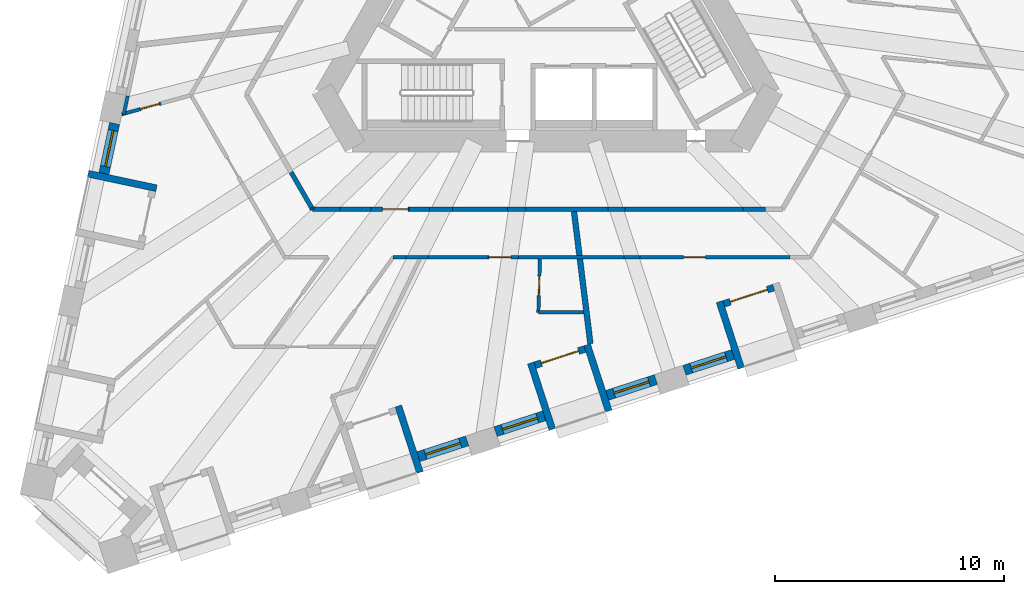
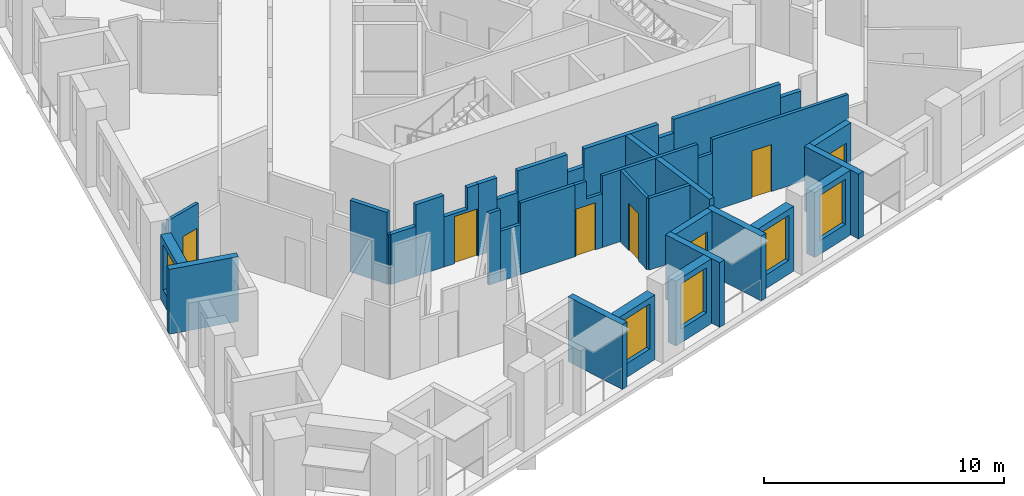
# One storey, part 3 of 13: 37 walls, 7 doors, 5 windows, 12 openings.
"""IFC4 building model written with IfcOpenShell, lengths in metres."""

from ifc_helpers import new_model, si_unit, direction, frame, frame_2d, origin, place, context, subcontext, project, spatial, polyline, rectangle, outline, extrude, material, layer, layer_set, type_object, element, fill, save


model = new_model("IFC4")

# Units and contexts
model_context = context("Model", 3, precision=1e-05, world=origin(), true_north=direction((0.0, 1.0)))
body_context = subcontext(model_context, "Body", "Model", "MODEL_VIEW")
ifc_project = project(units=[si_unit("LENGTHUNIT", "METRE"), si_unit("AREAUNIT", "SQUARE_METRE"), si_unit("VOLUMEUNIT", "CUBIC_METRE"), si_unit("PLANEANGLEUNIT", "RADIAN"), si_unit("MASSUNIT", "GRAM", prefix="KILO")], contexts=[model_context])

# Site, building, storey
site_placement = place(None, origin())
site = spatial("IfcSite", under=ifc_project, at=site_placement, CompositionType="ELEMENT")
building_placement = place(site_placement, origin())
building = spatial("IfcBuilding", under=site, at=building_placement, Name="Tramontana Tower", CompositionType="ELEMENT")
storey_placement = place(building_placement, frame((0.0, 0.0, 104.39990234375)))
storey = spatial("IfcBuildingStorey", under=building, at=storey_placement, Name="L23", CompositionType="ELEMENT", Elevation=104.39990234375)

# Walls
ifc_material_1 = material(Name="Blockwork", Category="masonry")
ifc_layer_1 = layer(ifc_material_1, 0.199951171875)
ifc_layer_set_1 = layer_set([ifc_layer_1], Name="ENTRY WALL 200")
wall_type_1 = type_object("IfcWallType", Name="ENTRY WALL 200", PredefinedType="SOLIDWALL", material=ifc_layer_set_1)
wall_1_placement = place(storey_placement, frame((9.50439453125, -9.25, 0.0), z_axis=(0.0, 0.0, 1.0), x_axis=(-1.0, 0.0, 0.0)))
element("IfcWall", 1, at=wall_1_placement, inside=storey, type_object=wall_type_1, Name="Wall v21-ew2-1", PredefinedType="SOLIDWALL", context=body_context, shape_type="SweptSolid", body=[
    extrude(rectangle(XDim=0.9775390625, YDim=0.199951171875, at=frame_2d((0.48876953125, 0.0))), origin(), (0.0, 0.0, 1.0), 2.9501953125),
])
wall_2_placement = place(storey_placement, frame((8.52685546875, -9.25, 0.0), z_axis=(0.0, 0.0, 1.0), x_axis=(-1.0, 0.0, 0.0)))
element("IfcWall", 2, at=wall_2_placement, inside=storey, type_object=wall_type_1, Name="Wall v21-ew2-2", PredefinedType="SOLIDWALL", context=body_context, shape_type="SweptSolid", body=[
    extrude(rectangle(XDim=5.1533203125, YDim=0.199951171875, at=frame_2d((2.57666015625, 0.0))), origin(), (0.0, 0.0, 1.0), 3.650146484375),
])
wall_3_placement = place(storey_placement, frame((3.37353515625, -9.25, 0.0), z_axis=(0.0, 0.0, 1.0), x_axis=(-1.0, 0.0, 0.0)))
element("IfcWall", 3, at=wall_3_placement, inside=storey, type_object=wall_type_1, Name="Wall v21-ew2-3", PredefinedType="SOLIDWALL", context=body_context, shape_type="SweptSolid", body=[
    extrude(rectangle(XDim=0.736083984375, YDim=0.199951171875, at=frame_2d((0.3681640625, 0.0))), origin(), (0.0, 0.0, 1.0), 2.9501953125),
])
wall_4_placement = place(storey_placement, frame((2.637451171875, -9.25, 0.0), z_axis=(0.0, 0.0, 1.0), x_axis=(-1.0, 0.0, 0.0)))
element("IfcWall", 4, at=wall_4_placement, inside=storey, type_object=wall_type_1, Name="Wall v21-ew2-4", PredefinedType="SOLIDWALL", context=body_context, shape_type="SweptSolid", body=[
    extrude(rectangle(XDim=3.576904296875, YDim=0.199951171875, at=frame_2d((1.78857421875, 0.0))), origin(), (0.0, 0.0, 1.0), 3.650146484375),
])
wall_5_placement = place(storey_placement, frame((-0.939453125, -9.25, 0.0), z_axis=(0.0, 0.0, 1.0), x_axis=(-1.0, 0.0, 0.0)))
element("IfcWall", 5, at=wall_5_placement, inside=storey, type_object=wall_type_1, Name="Wall v21-ew2-5", PredefinedType="SOLIDWALL", context=body_context, shape_type="SweptSolid", body=[
    extrude(rectangle(XDim=0.808349609375, YDim=0.199951171875, at=frame_2d((0.404296875, 0.0))), origin(), (0.0, 0.0, 1.0), 2.75),
])
wall_6_placement = place(storey_placement, frame((-1.747802734375, -9.25, 0.0), z_axis=(0.0, 0.0, 1.0), x_axis=(-1.0, 0.0, 0.0)))
element("IfcWall", 6, at=wall_6_placement, inside=storey, type_object=wall_type_1, Name="Wall v21-ew2-6", PredefinedType="SOLIDWALL", context=body_context, shape_type="SweptSolid", body=[
    extrude(rectangle(XDim=2.385498046875, YDim=0.199951171875, at=frame_2d((1.19287109375, 0.0))), origin(), (0.0, 0.0, 1.0), 3.650146484375),
])
wall_7_placement = place(storey_placement, frame((-4.13330078125, -9.25, 0.0), z_axis=(0.0, 0.0, 1.0), x_axis=(-1.0, 0.0, 0.0)))
element("IfcWall", 7, at=wall_7_placement, inside=storey, type_object=wall_type_1, Name="Wall v21-ew2-7", PredefinedType="SOLIDWALL", context=body_context, shape_type="SweptSolid", body=[
    extrude(rectangle(XDim=1.0068359375, YDim=0.199951171875, at=frame_2d((0.50341796875, 0.0))), origin(), (0.0, 0.0, 1.0), 2.550048828125),
])
wall_8_placement = place(storey_placement, frame((-5.14013671875, -9.25, 0.0), z_axis=(0.0, 0.0, 1.0), x_axis=(-1.0, 0.0, 0.0)))
element("IfcWall", 8, at=wall_8_placement, inside=storey, type_object=wall_type_1, Name="Wall v21-ew2-8", PredefinedType="SOLIDWALL", context=body_context, shape_type="SweptSolid", body=[
    extrude(rectangle(XDim=0.89990234375, YDim=0.199951171875, at=frame_2d((0.449951171875, 0.0))), origin(), (0.0, 0.0, 1.0), 3.650146484375),
])

# Wall, opening, door
wall_9_placement = place(storey_placement, frame((-7.695556640625, -9.25, 0.0), z_axis=(0.0, 0.0, 1.0), x_axis=(1.0, 0.0, 0.0)))
wall_9 = element("IfcWall", 9, at=wall_9_placement, inside=storey, type_object=wall_type_1, Name="Wall v21-ew2-9", PredefinedType="SOLIDWALL", context=body_context, shape_type="SweptSolid", body=[
    extrude(outline(polyline([(0.0, 0.0), (1.655517578125, 0.0), (1.655517578125, 3.650146484375), (1.13623046875, 3.650146484375), (1.13623046875, 2.550048828125), (0.0, 2.550048828125), (0.0, 0.0)])), frame((0.0, 0.10009765625, 0.0), z_axis=(0.0, -1.0, 0.0), x_axis=(1.0, 0.0, 0.0)), (0.0, 0.0, 1.0), 0.199951171875),
])
opening_1_placement = place(wall_9_placement, frame((0.50537109375, 0.0, 0.0)))
opening_1 = element("IfcOpeningElement", 10, at=opening_1_placement, cuts=wall_9, Name="Opening B2B-27", PredefinedType="OPENING", context=body_context, shape_type="SweptSolid", body=[
    extrude(rectangle(XDim=1.10009765625, YDim=2.39990234375, at=frame_2d((0.550048828125, 1.199951171875))), frame((0.0, 0.10986328125, 0.0), z_axis=(0.0, -1.0, 0.0), x_axis=(1.0, 0.0, 0.0)), (0.0, 0.0, 1.0), 0.219970703125),
])
ifc_material_2 = material(Name="Painted timber", Category="wood")
door_type_1 = type_object("IfcDoorType", Name="DOOR ENTRY 1100", OperationType="SINGLE_SWING_LEFT", PredefinedType="DOOR", material=ifc_material_2)
door_1_placement = place(opening_1_placement, origin())
door_1 = element("IfcDoor", 11, at=door_1_placement, inside=storey, type_object=door_type_1, Name="Door B2B-27", OperationType="SINGLE_SWING_LEFT", OverallHeight=2.39990234375, OverallWidth=1.10009765625, PredefinedType="DOOR", context=body_context, shape_type="SweptSolid", body=[
    extrude(rectangle(XDim=1.10009765625, YDim=2.39990234375, at=frame_2d((0.550048828125, 1.199951171875))), frame((0.0, 0.02490234375, 0.0), z_axis=(0.0, -1.0, 0.0), x_axis=(1.0, 0.0, 0.0)), (0.0, 0.0, 1.0), 0.050048828125),
])
fill(opening_1, door_1)

# Walls
wall_10_placement = place(storey_placement, frame((-7.695556640625, -9.25, 0.0), z_axis=(0.0, 0.0, 1.0), x_axis=(-1.0, 0.0, 0.0)))
element("IfcWall", 12, at=wall_10_placement, inside=storey, type_object=wall_type_1, Name="Wall v21-ew2-10", PredefinedType="SOLIDWALL", context=body_context, shape_type="SweptSolid", body=[
    extrude(rectangle(XDim=1.3603515625, YDim=0.199951171875, at=frame_2d((0.68017578125, 0.0))), origin(), (0.0, 0.0, 1.0), 3.650146484375),
])
wall_11_placement = place(storey_placement, frame((-9.055908203125, -9.25, 0.0), z_axis=(0.0, 0.0, 1.0), x_axis=(-1.0, 0.0, 0.0)))
element("IfcWall", 13, at=wall_11_placement, inside=storey, type_object=wall_type_1, Name="Wall v21-ew2-11", PredefinedType="SOLIDWALL", context=body_context, shape_type="SweptSolid", body=[
    extrude(rectangle(XDim=1.192138671875, YDim=0.199951171875, at=frame_2d((0.59619140625, 0.0))), origin(), (0.0, 0.0, 1.0), 2.550048828125),
])
wall_12_placement = place(storey_placement, frame((-10.248046875, -9.25, 0.0), z_axis=(0.0, 0.0, 1.0), x_axis=(-0.499103811596, 0.866542200502, 0.0)))
element("IfcWall", 14, at=wall_12_placement, inside=storey, type_object=wall_type_1, Name="Wall v21-ew3-0", PredefinedType="SOLIDWALL", context=body_context, shape_type="SweptSolid", body=[
    extrude(rectangle(XDim=0.079833984375, YDim=0.199951171875, at=frame_2d((0.0400390625, 0.0))), origin(), (0.0, 0.0, 1.0), 2.550048828125),
])
wall_13_placement = place(storey_placement, frame((-10.287841796875, -9.180908203125, 0.0), z_axis=(0.0, 0.0, 1.0), x_axis=(-0.499986405537, 0.866033252409, 0.0)))
element("IfcWall", 15, at=wall_13_placement, inside=storey, type_object=wall_type_1, Name="Wall v21-ew3-1", PredefinedType="SOLIDWALL", context=body_context, shape_type="SweptSolid", body=[
    extrude(rectangle(XDim=1.7880859375, YDim=0.199951171875, at=frame_2d((0.89404296875, 0.0))), origin(), (0.0, 0.0, 1.0), 3.650146484375),
])

# Wall, opening, window
ifc_material_3 = material(Name="Precast concrete 60 MPa", Category="concrete")
ifc_layer_2 = layer(ifc_material_3, 0.449951171875)
ifc_layer_set_2 = layer_set([ifc_layer_2], Name="Precast concrete 60 MPa, 450 mm")
wall_type_2 = type_object("IfcWallType", Name="EW1 Stone-faced precast wall 450", PredefinedType="SOLIDWALL", material=ifc_layer_set_2)
wall_14_placement = place(storey_placement, frame((-18.882080078125, -5.504638671875, 0.0), z_axis=(0.0, 0.0, 1.0), x_axis=(-0.207918801611, -0.978146089261, 0.0)))
wall_14 = element("IfcWall", 16, at=wall_14_placement, inside=storey, type_object=wall_type_2, Name="External wall L23 face 0 bay 5", PredefinedType="SOLIDWALL", context=body_context, shape_type="SweptSolid", body=[
    extrude(rectangle(XDim=2.23681640625, YDim=0.449951171875, at=frame_2d((1.118408203125, 0.0))), origin(), (0.0, 0.0, 1.0), 3.300048828125),
])
opening_2_placement = place(wall_14_placement, frame((0.318359375, 0.0, 0.699951171875)))
opening_2 = element("IfcOpeningElement", 17, at=opening_2_placement, cuts=wall_14, Name="Opening M1", PredefinedType="OPENING", context=body_context, shape_type="SweptSolid", body=[
    extrude(rectangle(XDim=1.60009765625, YDim=2.300048828125, at=frame_2d((0.800048828125, 1.14990234375))), frame((0.0, 0.23486328125, 0.0), z_axis=(0.0, -1.0, 0.0), x_axis=(1.0, 0.0, 0.0)), (0.0, 0.0, 1.0), 0.469970703125),
])
ifc_material_4 = material(Name="Aluminum frame, double glazing unit", Category="aluminium")
window_type = type_object("IfcWindowType", Name="M1 Window 1.6 x 2.3", PartitioningType="SINGLE_PANEL", PredefinedType="WINDOW", material=ifc_material_4)
window_1_placement = place(opening_2_placement, origin())
window_1 = element("IfcWindow", 18, at=window_1_placement, inside=storey, type_object=window_type, Name="Window M1 L23 face 0 module 13", OverallHeight=2.300048828125, OverallWidth=1.60009765625, PartitioningType="SINGLE_PANEL", PredefinedType="WINDOW", context=body_context, shape_type="SweptSolid", body=[
    extrude(rectangle(XDim=1.60009765625, YDim=2.300048828125, at=frame_2d((0.800048828125, 1.14990234375))), frame((0.0, 0.030029296875, 0.0), z_axis=(0.0, -1.0, 0.0), x_axis=(1.0, 0.0, 0.0)), (0.0, 0.0, 1.0), 0.06005859375),
])
fill(opening_2, window_1)

wall_15_placement = place(storey_placement, frame((-5.628173828125, -20.045166015625, 0.0), z_axis=(0.0, 0.0, 1.0), x_axis=(0.951057328329, 0.30901449518, 0.0)))
wall_15 = element("IfcWall", 19, at=wall_15_placement, inside=storey, type_object=wall_type_2, Name="External wall L23 face 1 bay 2", PredefinedType="SOLIDWALL", context=body_context, shape_type="SweptSolid", body=[
    extrude(rectangle(XDim=2.236572265625, YDim=0.449951171875, at=frame_2d((1.1181640625, 0.0))), origin(), (0.0, 0.0, 1.0), 3.300048828125),
])
opening_3_placement = place(wall_15_placement, frame((0.318359375, 0.0, 0.699951171875)))
opening_3 = element("IfcOpeningElement", 20, at=opening_3_placement, cuts=wall_15, Name="Opening M1", PredefinedType="OPENING", context=body_context, shape_type="SweptSolid", body=[
    extrude(rectangle(XDim=1.60009765625, YDim=2.300048828125, at=frame_2d((0.800048828125, 1.14990234375))), frame((0.0, 0.23486328125, 0.0), z_axis=(0.0, -1.0, 0.0), x_axis=(1.0, 0.0, 0.0)), (0.0, 0.0, 1.0), 0.469970703125),
])
window_2_placement = place(opening_3_placement, origin())
window_2 = element("IfcWindow", 21, at=window_2_placement, inside=storey, type_object=window_type, Name="Window M1 L23 face 1 module 6", OverallHeight=2.300048828125, OverallWidth=1.60009765625, PartitioningType="SINGLE_PANEL", PredefinedType="WINDOW", context=body_context, shape_type="SweptSolid", body=[
    extrude(rectangle(XDim=1.60009765625, YDim=2.300048828125, at=frame_2d((0.800048828125, 1.14990234375))), frame((0.0, 0.030029296875, 0.0), z_axis=(0.0, -1.0, 0.0), x_axis=(1.0, 0.0, 0.0)), (0.0, 0.0, 1.0), 0.06005859375),
])
fill(opening_3, window_2)

wall_16_placement = place(storey_placement, frame((-2.264404296875, -18.952392578125, 0.0), z_axis=(0.0, 0.0, 1.0), x_axis=(0.951057328329, 0.30901449518, 0.0)))
wall_16 = element("IfcWall", 22, at=wall_16_placement, inside=storey, type_object=wall_type_2, Name="External wall L23 face 1 bay 3", PredefinedType="SOLIDWALL", context=body_context, shape_type="SweptSolid", body=[
    extrude(rectangle(XDim=2.236572265625, YDim=0.449951171875, at=frame_2d((1.1181640625, 0.0))), origin(), (0.0, 0.0, 1.0), 3.300048828125),
])
opening_4_placement = place(wall_16_placement, frame((0.318359375, 0.0, 0.699951171875)))
opening_4 = element("IfcOpeningElement", 23, at=opening_4_placement, cuts=wall_16, Name="Opening M1", PredefinedType="OPENING", context=body_context, shape_type="SweptSolid", body=[
    extrude(rectangle(XDim=1.60009765625, YDim=2.300048828125, at=frame_2d((0.800048828125, 1.14990234375))), frame((0.0, 0.23486328125, 0.0), z_axis=(0.0, -1.0, 0.0), x_axis=(1.0, 0.0, 0.0)), (0.0, 0.0, 1.0), 0.469970703125),
])
window_3_placement = place(opening_4_placement, origin())
window_3 = element("IfcWindow", 24, at=window_3_placement, inside=storey, type_object=window_type, Name="Window M1 L23 face 1 module 7", OverallHeight=2.300048828125, OverallWidth=1.60009765625, PartitioningType="SINGLE_PANEL", PredefinedType="WINDOW", context=body_context, shape_type="SweptSolid", body=[
    extrude(rectangle(XDim=1.60009765625, YDim=2.300048828125, at=frame_2d((0.800048828125, 1.14990234375))), frame((0.0, 0.030029296875, 0.0), z_axis=(0.0, -1.0, 0.0), x_axis=(1.0, 0.0, 0.0)), (0.0, 0.0, 1.0), 0.06005859375),
])
fill(opening_4, window_3)

wall_17_placement = place(storey_placement, frame((2.608154296875, -17.369140625, 0.0), z_axis=(0.0, 0.0, 1.0), x_axis=(0.951067749801, 0.30898241906, 0.0)))
wall_17 = element("IfcWall", 25, at=wall_17_placement, inside=storey, type_object=wall_type_2, Name="External wall L23 face 1 bay 3", PredefinedType="SOLIDWALL", context=body_context, shape_type="SweptSolid", body=[
    extrude(rectangle(XDim=2.23681640625, YDim=0.449951171875, at=frame_2d((1.118408203125, 0.0))), origin(), (0.0, 0.0, 1.0), 3.300048828125),
])
opening_5_placement = place(wall_17_placement, frame((0.318359375, 0.0, 0.699951171875)))
opening_5 = element("IfcOpeningElement", 26, at=opening_5_placement, cuts=wall_17, Name="Opening M1", PredefinedType="OPENING", context=body_context, shape_type="SweptSolid", body=[
    extrude(rectangle(XDim=1.60009765625, YDim=2.300048828125, at=frame_2d((0.800048828125, 1.14990234375))), frame((0.0, 0.23486328125, 0.0), z_axis=(0.0, -1.0, 0.0), x_axis=(1.0, 0.0, 0.0)), (0.0, 0.0, 1.0), 0.469970703125),
])
window_4_placement = place(opening_5_placement, origin())
window_4 = element("IfcWindow", 27, at=window_4_placement, inside=storey, type_object=window_type, Name="Window M1 L23 face 1 module 9", OverallHeight=2.300048828125, OverallWidth=1.60009765625, PartitioningType="SINGLE_PANEL", PredefinedType="WINDOW", context=body_context, shape_type="SweptSolid", body=[
    extrude(rectangle(XDim=1.60009765625, YDim=2.300048828125, at=frame_2d((0.800048828125, 1.14990234375))), frame((0.0, 0.030029296875, 0.0), z_axis=(0.0, -1.0, 0.0), x_axis=(1.0, 0.0, 0.0)), (0.0, 0.0, 1.0), 0.06005859375),
])
fill(opening_5, window_4)

wall_18_placement = place(storey_placement, frame((5.971923828125, -16.276123046875, 0.0), z_axis=(0.0, 0.0, 1.0), x_axis=(0.951057328329, 0.30901449518, 0.0)))
wall_18 = element("IfcWall", 28, at=wall_18_placement, inside=storey, type_object=wall_type_2, Name="External wall L23 face 1 bay 4", PredefinedType="SOLIDWALL", context=body_context, shape_type="SweptSolid", body=[
    extrude(rectangle(XDim=2.236572265625, YDim=0.449951171875, at=frame_2d((1.1181640625, 0.0))), origin(), (0.0, 0.0, 1.0), 3.300048828125),
])
opening_6_placement = place(wall_18_placement, frame((0.318359375, 0.0, 0.699951171875)))
opening_6 = element("IfcOpeningElement", 29, at=opening_6_placement, cuts=wall_18, Name="Opening M1", PredefinedType="OPENING", context=body_context, shape_type="SweptSolid", body=[
    extrude(rectangle(XDim=1.60009765625, YDim=2.300048828125, at=frame_2d((0.800048828125, 1.14990234375))), frame((0.0, 0.23486328125, 0.0), z_axis=(0.0, -1.0, 0.0), x_axis=(1.0, 0.0, 0.0)), (0.0, 0.0, 1.0), 0.469970703125),
])
window_5_placement = place(opening_6_placement, origin())
window_5 = element("IfcWindow", 30, at=window_5_placement, inside=storey, type_object=window_type, Name="Window M1 L23 face 1 module 10", OverallHeight=2.300048828125, OverallWidth=1.60009765625, PartitioningType="SINGLE_PANEL", PredefinedType="WINDOW", context=body_context, shape_type="SweptSolid", body=[
    extrude(rectangle(XDim=1.60009765625, YDim=2.300048828125, at=frame_2d((0.800048828125, 1.14990234375))), frame((0.0, 0.030029296875, 0.0), z_axis=(0.0, -1.0, 0.0), x_axis=(1.0, 0.0, 0.0)), (0.0, 0.0, 1.0), 0.06005859375),
])
fill(opening_6, window_5)

# Walls
ifc_material_5 = material(Name="Precast concrete 60 MPa", Category="concrete")
ifc_layer_3 = layer(ifc_material_5, 0.300048828125)
ifc_layer_set_3 = layer_set([ifc_layer_3], Name="LW1 Stone-faced loggia wall 300")
wall_type_3 = type_object("IfcWallType", Name="LW1 Stone-faced loggia wall 300", PredefinedType="SOLIDWALL", material=ifc_layer_set_3)
for number, where, z_axis, x_axis, name in (
    (31, (-20.03857421875, -7.698974609375, 0.0), (0.0, 0.0, 1.0), (0.978154782045, -0.207877902534, 0.0), "Loggia return L23 G2S0.13a"),
    (32, (-5.562255859375, -20.733642578125, 0.0), (0.0, 0.0, 1.0), (-0.308966615996, 0.951072883748, 0.0), "Loggia return L23 G2S1.4b"),
):
    element("IfcWall", number, at=place(storey_placement, frame(where, z_axis=z_axis, x_axis=x_axis)), inside=storey, type_object=wall_type_3, Name=name, PredefinedType="SOLIDWALL", context=body_context, shape_type="SweptSolid", body=[
        extrude(rectangle(XDim=3.050048828125, YDim=0.300048828125, at=frame_2d((1.52490234375, 0.0))), origin(), (0.0, 0.0, 1.0), 3.300048828125),
    ])

# Wall, opening, door
wall_19_placement = place(storey_placement, frame((-0.53955078125, -16.05224609375, 0.0), z_axis=(0.0, 0.0, 1.0), x_axis=(0.951078776318, 0.308948476671, 0.0)))
wall_19 = element("IfcWall", 33, at=wall_19_placement, inside=storey, type_object=wall_type_3, Name="Loggia wall L23 G2S1.7", PredefinedType="SOLIDWALL", context=body_context, shape_type="SweptSolid", body=[
    extrude(rectangle(XDim=2.286865234375, YDim=0.300048828125, at=frame_2d((1.1435546875, 0.0))), origin(), (0.0, 0.0, 1.0), 3.300048828125),
])
opening_7_placement = place(wall_19_placement, frame((0.29345703125, 0.0, 0.0)))
opening_7 = element("IfcOpeningElement", 34, at=opening_7_placement, cuts=wall_19, Name="Opening BD-2S1-07", PredefinedType="OPENING", context=body_context, shape_type="SweptSolid", body=[
    extrude(rectangle(XDim=1.699951171875, YDim=2.39990234375, at=frame_2d((0.85009765625, 1.199951171875))), frame((0.0, 0.159912109375, 0.0), z_axis=(0.0, -1.0, 0.0), x_axis=(1.0, 0.0, 0.0)), (0.0, 0.0, 1.0), 0.320068359375),
])
ifc_material_6 = material(Name="Aluminum frame, double glazing unit", Category="aluminium")
door_type_2 = type_object("IfcDoorType", Name="BD1 Sliding door 1.7 x 2.4", OperationType="SLIDING_TO_LEFT", PredefinedType="DOOR", material=ifc_material_6)
door_2_placement = place(opening_7_placement, origin())
door_2 = element("IfcDoor", 35, at=door_2_placement, inside=storey, type_object=door_type_2, Name="Loggia door L23 G2S1.7", OperationType="SLIDING_TO_LEFT", OverallHeight=2.39990234375, OverallWidth=1.699951171875, PredefinedType="DOOR", context=body_context, shape_type="SweptSolid", body=[
    extrude(rectangle(XDim=1.699951171875, YDim=2.39990234375, at=frame_2d((0.85009765625, 1.199951171875))), frame((0.0, 0.02490234375, 0.0), z_axis=(0.0, -1.0, 0.0), x_axis=(1.0, 0.0, 0.0)), (0.0, 0.0, 1.0), 0.050048828125),
])
fill(opening_7, door_2)

# Walls
wall_20_placement = place(storey_placement, frame((0.214111328125, -18.856689453125, 0.0), z_axis=(0.0, 0.0, 1.0), x_axis=(-0.309062542235, 0.951041715693, 0.0)))
element("IfcWall", 36, at=wall_20_placement, inside=storey, type_object=wall_type_3, Name="Loggia return L23 G2S1.7a", PredefinedType="SOLIDWALL", context=body_context, shape_type="SweptSolid", body=[
    extrude(rectangle(XDim=3.050048828125, YDim=0.300048828125, at=frame_2d((1.52490234375, 0.0))), origin(), (0.0, 0.0, 1.0), 3.300048828125),
])
wall_21_placement = place(storey_placement, frame((2.674072265625, -18.057373046875, 0.0), z_axis=(0.0, 0.0, 1.0), x_axis=(-0.308990138358, 0.951065241925, 0.0)))
element("IfcWall", 37, at=wall_21_placement, inside=storey, type_object=wall_type_3, Name="Loggia return L23 G2S1.7b", PredefinedType="SOLIDWALL", context=body_context, shape_type="SweptSolid", body=[
    extrude(rectangle(XDim=3.0498046875, YDim=0.300048828125, at=frame_2d((1.52490234375, 0.0))), origin(), (0.0, 0.0, 1.0), 3.300048828125),
])

# Wall, opening, door
wall_22_placement = place(storey_placement, frame((7.697021484375, -13.376220703125, 0.0), z_axis=(0.0, 0.0, 1.0), x_axis=(0.95103720697, 0.309076416051, 0.0)))
wall_22 = element("IfcWall", 38, at=wall_22_placement, inside=storey, type_object=wall_type_3, Name="Loggia wall L23 G2S1.10", PredefinedType="SOLIDWALL", context=body_context, shape_type="SweptSolid", body=[
    extrude(rectangle(XDim=2.286865234375, YDim=0.300048828125, at=frame_2d((1.1435546875, 0.0))), origin(), (0.0, 0.0, 1.0), 3.300048828125),
])
opening_8_placement = place(wall_22_placement, frame((0.29345703125, 0.0, 0.0)))
opening_8 = element("IfcOpeningElement", 39, at=opening_8_placement, cuts=wall_22, Name="Opening BD-2S1-10", PredefinedType="OPENING", context=body_context, shape_type="SweptSolid", body=[
    extrude(rectangle(XDim=1.699951171875, YDim=2.39990234375, at=frame_2d((0.85009765625, 1.199951171875))), frame((0.0, 0.159912109375, 0.0), z_axis=(0.0, -1.0, 0.0), x_axis=(1.0, 0.0, 0.0)), (0.0, 0.0, 1.0), 0.320068359375),
])
door_3_placement = place(opening_8_placement, origin())
door_3 = element("IfcDoor", 40, at=door_3_placement, inside=storey, type_object=door_type_2, Name="Loggia door L23 G2S1.10", OperationType="SLIDING_TO_LEFT", OverallHeight=2.39990234375, OverallWidth=1.699951171875, PredefinedType="DOOR", context=body_context, shape_type="SweptSolid", body=[
    extrude(rectangle(XDim=1.699951171875, YDim=2.39990234375, at=frame_2d((0.85009765625, 1.199951171875))), frame((0.0, 0.02490234375, 0.0), z_axis=(0.0, -1.0, 0.0), x_axis=(1.0, 0.0, 0.0)), (0.0, 0.0, 1.0), 0.050048828125),
])
fill(opening_8, door_3)

# Walls
wall_23_placement = place(storey_placement, frame((8.450439453125, -16.1806640625, 0.0), z_axis=(0.0, 0.0, 1.0), x_axis=(-0.309039015525, 0.951049360908, 0.0)))
element("IfcWall", 41, at=wall_23_placement, inside=storey, type_object=wall_type_3, Name="Loggia return L23 G2S1.10a", PredefinedType="SOLIDWALL", context=body_context, shape_type="SweptSolid", body=[
    extrude(rectangle(XDim=3.05029296875, YDim=0.300048828125, at=frame_2d((1.525146484375, 0.0))), origin(), (0.0, 0.0, 1.0), 3.300048828125),
])
ifc_material_7 = material(Name="Gypsum board partition")
ifc_layer_4 = layer(ifc_material_7, 0.14990234375)
ifc_layer_set_4 = layer_set([ifc_layer_4], Name="PARTITION 150")
wall_type_4 = type_object("IfcWallType", Name="PARTITION 150", PredefinedType="PARTITIONING", material=ifc_layer_set_4)
wall_24_placement = place(storey_placement, frame((-18.483642578125, -5.12158203125, 0.0), z_axis=(0.0, 0.0, 1.0), x_axis=(0.207886810037, 0.978152888976, 0.0)))
element("IfcWall", 42, at=wall_24_placement, inside=storey, type_object=wall_type_4, Name="Wall v21-pw01-0", PredefinedType="PARTITIONING", context=body_context, shape_type="SweptSolid", body=[
    extrude(rectangle(XDim=0.832763671875, YDim=0.14990234375, at=frame_2d((0.41650390625, 0.0))), origin(), (0.0, 0.0, 1.0), 2.9501953125),
])

# Wall, opening, door
wall_25_placement = place(storey_placement, frame((-18.56689453125, -5.10400390625, 0.0), z_axis=(0.0, 0.0, 1.0), x_axis=(0.964230082974, 0.265066684229, 0.0)))
wall_25 = element("IfcWall", 43, at=wall_25_placement, inside=storey, type_object=wall_type_4, Name="Wall v21-pw03-1", PredefinedType="PARTITIONING", context=body_context, shape_type="SweptSolid", body=[
    extrude(rectangle(XDim=1.769287109375, YDim=0.14990234375, at=frame_2d((0.884765625, 0.0))), origin(), (0.0, 0.0, 1.0), 3.650146484375),
])
opening_9_placement = place(wall_25_placement, frame((0.841552734375, 0.0, 0.0)))
opening_9 = element("IfcOpeningElement", 44, at=opening_9_placement, cuts=wall_25, Name="Opening B2B-15", PredefinedType="OPENING", context=body_context, shape_type="SweptSolid", body=[
    extrude(rectangle(XDim=0.85009765625, YDim=2.39990234375, at=frame_2d((0.425048828125, 1.199951171875))), frame((0.0, 0.0849609375, 0.0), z_axis=(0.0, -1.0, 0.0), x_axis=(1.0, 0.0, 0.0)), (0.0, 0.0, 1.0), 0.169921875),
])
ifc_material_8 = material(Name="Painted timber", Category="wood")
door_type_3 = type_object("IfcDoorType", Name="DOOR BATH 850", OperationType="SINGLE_SWING_LEFT", PredefinedType="DOOR", material=ifc_material_8)
door_4_placement = place(opening_9_placement, origin())
door_4 = element("IfcDoor", 45, at=door_4_placement, inside=storey, type_object=door_type_3, Name="Door B2B-15", OperationType="SINGLE_SWING_LEFT", OverallHeight=2.39990234375, OverallWidth=0.85009765625, PredefinedType="DOOR", context=body_context, shape_type="SweptSolid", body=[
    extrude(rectangle(XDim=0.85009765625, YDim=2.39990234375, at=frame_2d((0.425048828125, 1.199951171875))), frame((0.0, 0.02490234375, 0.0), z_axis=(0.0, -1.0, 0.0), x_axis=(1.0, 0.0, 0.0)), (0.0, 0.0, 1.0), 0.050048828125),
])
fill(opening_9, door_4)

wall_26_placement = place(storey_placement, frame((-0.32763671875, -11.425048828125, 0.0), z_axis=(0.0, 0.0, 1.0), x_axis=(-0.028760543361, -0.999586330011, 0.0)))
wall_26 = element("IfcWall", 46, at=wall_26_placement, inside=storey, type_object=wall_type_4, Name="Wall v21-pw32", PredefinedType="PARTITIONING", context=body_context, shape_type="SweptSolid", body=[
    extrude(rectangle(XDim=2.325927734375, YDim=0.14990234375, at=frame_2d((1.1630859375, 0.0))), origin(), (0.0, 0.0, 1.0), 3.650146484375),
])
opening_10_placement = place(wall_26_placement, frame((0.738037109375, 0.0, 0.0)))
opening_10 = element("IfcOpeningElement", 47, at=opening_10_placement, cuts=wall_26, Name="Opening B2B-16", PredefinedType="OPENING", context=body_context, shape_type="SweptSolid", body=[
    extrude(rectangle(XDim=0.85009765625, YDim=2.39990234375, at=frame_2d((0.425048828125, 1.199951171875))), frame((0.0, 0.0849609375, 0.0), z_axis=(0.0, -1.0, 0.0), x_axis=(1.0, 0.0, 0.0)), (0.0, 0.0, 1.0), 0.169921875),
])
door_5_placement = place(opening_10_placement, origin())
door_5 = element("IfcDoor", 48, at=door_5_placement, inside=storey, type_object=door_type_3, Name="Door B2B-16", OperationType="SINGLE_SWING_RIGHT", OverallHeight=2.39990234375, OverallWidth=0.85009765625, PredefinedType="DOOR", context=body_context, shape_type="SweptSolid", body=[
    extrude(rectangle(XDim=0.85009765625, YDim=2.39990234375, at=frame_2d((0.425048828125, 1.199951171875))), frame((0.0, 0.02490234375, 0.0), z_axis=(0.0, -1.0, 0.0), x_axis=(1.0, 0.0, 0.0)), (0.0, 0.0, 1.0), 0.050048828125),
])
fill(opening_10, door_5)

# Wall
wall_27_placement = place(storey_placement, frame((1.57958984375, -13.75, 0.0), z_axis=(0.0, 0.0, 1.0), x_axis=(-1.0, 0.0, 0.0)))
element("IfcWall", 49, at=wall_27_placement, inside=storey, type_object=wall_type_4, Name="Wall v21-pw34", PredefinedType="PARTITIONING", context=body_context, shape_type="SweptSolid", body=[
    extrude(rectangle(XDim=1.97412109375, YDim=0.14990234375, at=frame_2d((0.987060546875, 0.0))), origin(), (0.0, 0.0, 1.0), 3.650146484375),
])

# Wall, opening, door
wall_28_placement = place(storey_placement, frame((10.591064453125, -11.35009765625, 0.0), z_axis=(0.0, 0.0, 1.0), x_axis=(-1.0, 0.0, 0.0)))
wall_28 = element("IfcWall", 50, at=wall_28_placement, inside=storey, type_object=wall_type_4, Name="Wall v21-pw44-1", PredefinedType="PARTITIONING", context=body_context, shape_type="SweptSolid", body=[
    extrude(rectangle(XDim=6.54833984375, YDim=0.14990234375, at=frame_2d((3.274169921875, 0.0))), origin(), (0.0, 0.0, 1.0), 3.650146484375),
])
opening_11_placement = place(wall_28_placement, frame((3.7021484375, 0.0, 0.0)))
opening_11 = element("IfcOpeningElement", 51, at=opening_11_placement, cuts=wall_28, Name="Opening B2B-21", PredefinedType="OPENING", context=body_context, shape_type="SweptSolid", body=[
    extrude(rectangle(XDim=0.949951171875, YDim=2.39990234375, at=frame_2d((0.47509765625, 1.199951171875))), frame((0.0, 0.0849609375, 0.0), z_axis=(0.0, -1.0, 0.0), x_axis=(1.0, 0.0, 0.0)), (0.0, 0.0, 1.0), 0.169921875),
])
ifc_material_9 = material(Name="Painted timber", Category="wood")
door_type_4 = type_object("IfcDoorType", Name="DOOR ROOM 950", OperationType="SINGLE_SWING_LEFT", PredefinedType="DOOR", material=ifc_material_9)
door_6_placement = place(opening_11_placement, origin())
door_6 = element("IfcDoor", 52, at=door_6_placement, inside=storey, type_object=door_type_4, Name="Door B2B-21", OperationType="SINGLE_SWING_LEFT", OverallHeight=2.39990234375, OverallWidth=0.949951171875, PredefinedType="DOOR", context=body_context, shape_type="SweptSolid", body=[
    extrude(rectangle(XDim=0.949951171875, YDim=2.39990234375, at=frame_2d((0.47509765625, 1.199951171875))), frame((0.0, 0.02490234375, 0.0), z_axis=(0.0, -1.0, 0.0), x_axis=(1.0, 0.0, 0.0)), (0.0, 0.0, 1.0), 0.050048828125),
])
fill(opening_11, door_6)

# Walls
wall_29_placement = place(storey_placement, frame((4.042724609375, -11.35009765625, 0.0), z_axis=(0.0, 0.0, 1.0), x_axis=(-1.0, 0.0, 0.0)))
element("IfcWall", 53, at=wall_29_placement, inside=storey, type_object=wall_type_4, Name="Wall v21-pw44-2", PredefinedType="PARTITIONING", context=body_context, shape_type="SweptSolid", body=[
    extrude(rectangle(XDim=0.709716796875, YDim=0.14990234375, at=frame_2d((0.35498046875, 0.0))), origin(), (0.0, 0.0, 1.0), 2.9501953125),
])
wall_30_placement = place(storey_placement, frame((3.3330078125, -11.35009765625, 0.0), z_axis=(0.0, 0.0, 1.0), x_axis=(-1.0, 0.0, 0.0)))
element("IfcWall", 54, at=wall_30_placement, inside=storey, type_object=wall_type_4, Name="Wall v21-pw44-3", PredefinedType="PARTITIONING", context=body_context, shape_type="SweptSolid", body=[
    extrude(rectangle(XDim=4.590087890625, YDim=0.14990234375, at=frame_2d((2.294921875, 0.0))), origin(), (0.0, 0.0, 1.0), 3.650146484375),
])

# Wall, opening, door
wall_31_placement = place(storey_placement, frame((-1.257080078125, -11.35009765625, 0.0), z_axis=(0.0, 0.0, 1.0), x_axis=(-1.0, 0.0, 0.0)))
wall_31 = element("IfcWall", 55, at=wall_31_placement, inside=storey, type_object=wall_type_4, Name="Wall v21-pw44-4", PredefinedType="PARTITIONING", context=body_context, shape_type="SweptSolid", body=[
    extrude(outline(polyline([(0.0, 0.0), (1.332763671875, 0.0), (1.332763671875, 3.650146484375), (0.783203125, 3.650146484375), (0.783203125, 2.75), (0.0, 2.75), (0.0, 0.0)])), frame((0.0, 0.074951171875, 0.0), z_axis=(0.0, -1.0, 0.0), x_axis=(1.0, 0.0, 0.0)), (0.0, 0.0, 1.0), 0.14990234375),
])
opening_12_placement = place(wall_31_placement, frame((0.332763671875, 0.0, 0.0)))
opening_12 = element("IfcOpeningElement", 56, at=opening_12_placement, cuts=wall_31, Name="Opening B2B-14", PredefinedType="OPENING", context=body_context, shape_type="SweptSolid", body=[
    extrude(rectangle(XDim=0.949951171875, YDim=2.39990234375, at=frame_2d((0.47509765625, 1.199951171875))), frame((0.0, 0.0849609375, 0.0), z_axis=(0.0, -1.0, 0.0), x_axis=(1.0, 0.0, 0.0)), (0.0, 0.0, 1.0), 0.169921875),
])
door_7_placement = place(opening_12_placement, origin())
door_7 = element("IfcDoor", 57, at=door_7_placement, inside=storey, type_object=door_type_4, Name="Door B2B-14", OperationType="SINGLE_SWING_RIGHT", OverallHeight=2.39990234375, OverallWidth=0.949951171875, PredefinedType="DOOR", context=body_context, shape_type="SweptSolid", body=[
    extrude(rectangle(XDim=0.949951171875, YDim=2.39990234375, at=frame_2d((0.47509765625, 1.199951171875))), frame((0.0, 0.02490234375, 0.0), z_axis=(0.0, -1.0, 0.0), x_axis=(1.0, 0.0, 0.0)), (0.0, 0.0, 1.0), 0.050048828125),
])
fill(opening_12, door_7)

# Walls
wall_32_placement = place(storey_placement, frame((-2.58984375, -11.35009765625, 0.0), z_axis=(0.0, 0.0, 1.0), x_axis=(-1.0, 0.0, 0.0)))
element("IfcWall", 58, at=wall_32_placement, inside=storey, type_object=wall_type_4, Name="Wall v21-pw44-5", PredefinedType="PARTITIONING", context=body_context, shape_type="SweptSolid", body=[
    extrude(rectangle(XDim=2.610107421875, YDim=0.14990234375, at=frame_2d((1.30517578125, 0.0))), origin(), (0.0, 0.0, 1.0), 3.650146484375),
])
wall_33_placement = place(storey_placement, frame((-5.199951171875, -11.35009765625, 0.0), z_axis=(0.0, 0.0, 1.0), x_axis=(-1.0, 0.0, 0.0)))
element("IfcWall", 59, at=wall_33_placement, inside=storey, type_object=wall_type_4, Name="Wall v21-pw44-6", PredefinedType="PARTITIONING", context=body_context, shape_type="SweptSolid", body=[
    extrude(rectangle(XDim=0.978759765625, YDim=0.14990234375, at=frame_2d((0.4892578125, 0.0))), origin(), (0.0, 0.0, 1.0), 2.550048828125),
])
wall_34_placement = place(storey_placement, frame((-6.1787109375, -11.35009765625, 0.0), z_axis=(0.0, 0.0, 1.0), x_axis=(-1.0, 0.0, 0.0)))
element("IfcWall", 60, at=wall_34_placement, inside=storey, type_object=wall_type_4, Name="Wall v21-pw44-7", PredefinedType="PARTITIONING", context=body_context, shape_type="SweptSolid", body=[
    extrude(rectangle(XDim=0.55322265625, YDim=0.14990234375, at=frame_2d((0.276611328125, 0.0))), origin(), (0.0, 0.0, 1.0), 3.650146484375),
])
ifc_material_10 = material(Name="Blockwork", Category="masonry")
ifc_layer_5 = layer(ifc_material_10, 0.25)
ifc_layer_set_5 = layer_set([ifc_layer_5], Name="PARTY WALL 250")
wall_type_5 = type_object("IfcWallType", Name="PARTY WALL 250", PredefinedType="SOLIDWALL", material=ifc_layer_set_5)
wall_35_placement = place(storey_placement, frame((1.159912109375, -9.35009765625, 0.0), z_axis=(0.0, 0.0, 1.0), x_axis=(0.123071792615, -0.992397769981, 0.0)))
element("IfcWall", 61, at=wall_35_placement, inside=storey, type_object=wall_type_5, Name="Wall v21-pw33", PredefinedType="SOLIDWALL", context=body_context, shape_type="SweptSolid", body=[
    extrude(rectangle(XDim=5.804443359375, YDim=0.25, at=frame_2d((2.90234375, 0.0))), origin(), (0.0, 0.0, 1.0), 3.650146484375),
])

save(model, "model.ifc")
